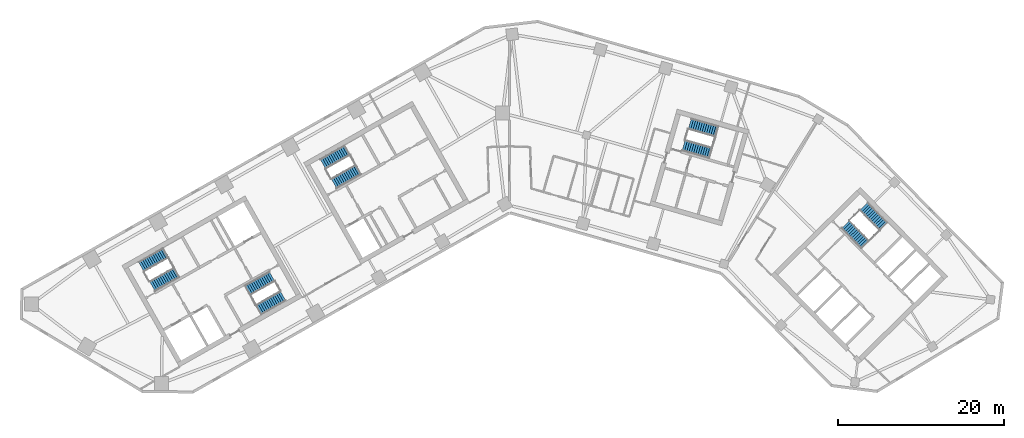
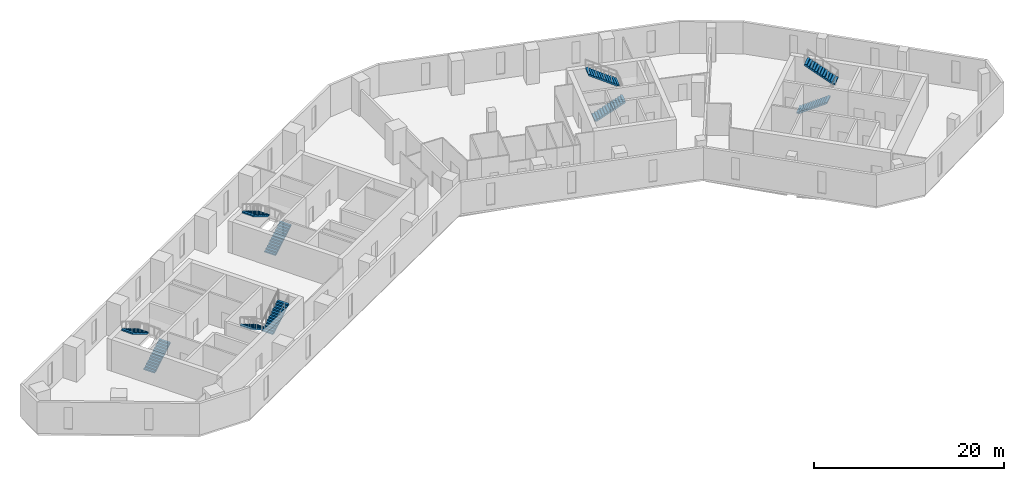
# One storey, part 8 of 10: 10 stair flights, 5 elements without a shape of their own.
"""IFC4 building model written with IfcOpenShell, lengths in metres."""

from ifc_helpers import new_model, si_unit, direction, frame, origin, place, context, subcontext, project, spatial, polyline, outline, extrude, material, type_object, element, aggregate, save


model = new_model("IFC4")

# Units and contexts
model_context = context("Model", 3, precision=1e-05, world=origin(), true_north=direction((0.0, 1.0)))
body_context = subcontext(model_context, "Body", "Model", "MODEL_VIEW")
ifc_project = project(units=[si_unit("LENGTHUNIT", "METRE"), si_unit("AREAUNIT", "SQUARE_METRE"), si_unit("VOLUMEUNIT", "CUBIC_METRE"), si_unit("PLANEANGLEUNIT", "RADIAN"), si_unit("MASSUNIT", "GRAM", prefix="KILO")], contexts=[model_context])

# Site, building, storey
site_placement = place(None, origin())
site = spatial("IfcSite", under=ifc_project, at=site_placement, CompositionType="ELEMENT")
building_placement = place(site_placement, origin())
building = spatial("IfcBuilding", under=site, at=building_placement, Name="Binnacle Exchange Tower", CompositionType="ELEMENT")
storey_placement = place(building_placement, frame((0.0, 0.0, 127.89990234375)))
storey = spatial("IfcBuildingStorey", under=building, at=storey_placement, Name="L26", CompositionType="ELEMENT", Elevation=127.89990234375)

# Stair, stair flights
ifc_material = material(Name="Concrete C35/45", Category="concrete")
stair_type = type_object("IfcStairType", Name="STAIR 26 RISERS 169", PredefinedType="HALF_TURN_STAIR", material=ifc_material)
stair_1_placement = place(storey_placement, origin())
stair_1 = element("IfcStair", 1, at=stair_1_placement, inside=storey, type_object=stair_type, Name="L26 Escape stair A1", PredefinedType="HALF_TURN_STAIR")
stair_flight_type = type_object("IfcStairFlightType", Name="STAIR FLIGHT 169X280", PredefinedType="STRAIGHT", material=ifc_material)
stair_flight_1_placement = place(storey_placement, frame((-42.9541015625, 39.17333984375, 0.0), z_axis=(0.0, 0.0, 1.0), x_axis=(0.870355584213, 0.492423757581, 0.0)))
stair_flight_1 = element("IfcStairFlight", 2, at=stair_flight_1_placement, type_object=stair_flight_type, Name="STA1 flight 1", NumberOfRisers=13, NumberOfTreads=12, PredefinedType="STRAIGHT", RiserHeight=0.169230769, TreadLength=0.28, context=body_context, shape_type="SweptSolid", body=[
    extrude(outline(polyline([(0.0, 0.0), (0.0, 0.169189453125), (0.280029296875, 0.169189453125), (0.280029296875, 0.33837890625), (0.56005859375, 0.33837890625), (0.56005859375, 0.5078125), (0.840087890625, 0.5078125), (0.840087890625, 0.677001953125), (1.1201171875, 0.677001953125), (1.1201171875, 0.84619140625), (1.39990234375, 0.84619140625), (1.39990234375, 1.015380859375), (1.679931640625, 1.015380859375), (1.679931640625, 1.1845703125), (1.9599609375, 1.1845703125), (1.9599609375, 1.353759765625), (2.239990234375, 1.353759765625), (2.239990234375, 1.523193359375), (2.52001953125, 1.523193359375), (2.52001953125, 1.6923828125), (2.800048828125, 1.6923828125), (2.800048828125, 1.861572265625), (3.080078125, 1.861572265625), (3.080078125, 2.03076171875), (3.360107421875, 2.03076171875), (3.360107421875, 2.199951171875), (3.360107421875, 1.855712890625), (0.289794921875, 0.0), (0.0, 0.0)])), frame((0.0, 0.675048828125, 0.0), z_axis=(0.0, -1.0, 0.0), x_axis=(1.0, 0.0, 0.0)), (0.0, 0.0, 1.0), 1.35009765625),
])
stair_flight_2_placement = place(storey_placement, frame((-41.359130859375, 43.177978515625, 2.2001953125), z_axis=(0.0, 0.0, 1.0), x_axis=(-0.870355584213, -0.492423757581, 0.0)))
stair_flight_2 = element("IfcStairFlight", 3, at=stair_flight_2_placement, type_object=stair_flight_type, Name="STA1 flight 2", NumberOfRisers=13, NumberOfTreads=12, PredefinedType="STRAIGHT", RiserHeight=0.169230769, TreadLength=0.28, context=body_context, shape_type="SweptSolid", body=[
    extrude(outline(polyline([(0.0, 0.0), (0.0, 0.169189453125), (0.280029296875, 0.169189453125), (0.280029296875, 0.33837890625), (0.56005859375, 0.33837890625), (0.56005859375, 0.5078125), (0.840087890625, 0.5078125), (0.840087890625, 0.677001953125), (1.1201171875, 0.677001953125), (1.1201171875, 0.84619140625), (1.39990234375, 0.84619140625), (1.39990234375, 1.015380859375), (1.679931640625, 1.015380859375), (1.679931640625, 1.1845703125), (1.9599609375, 1.1845703125), (1.9599609375, 1.353759765625), (2.239990234375, 1.353759765625), (2.239990234375, 1.523193359375), (2.52001953125, 1.523193359375), (2.52001953125, 1.6923828125), (2.800048828125, 1.6923828125), (2.800048828125, 1.861572265625), (3.080078125, 1.861572265625), (3.080078125, 2.03076171875), (3.360107421875, 2.03076171875), (3.360107421875, 2.199951171875), (3.360107421875, 1.855712890625), (0.289794921875, 0.0), (0.0, 0.0)])), frame((0.0, 0.675048828125, 0.0), z_axis=(0.0, -1.0, 0.0), x_axis=(1.0, 0.0, 0.0)), (0.0, 0.0, 1.0), 1.35009765625),
])
aggregate(stair_1, [stair_flight_1, stair_flight_2])

stair_2_placement = place(storey_placement, origin())
stair_2 = element("IfcStair", 4, at=stair_2_placement, inside=storey, type_object=stair_type, Name="L26 Escape stair A2", PredefinedType="HALF_TURN_STAIR")
stair_flight_3_placement = place(storey_placement, frame((-28.5732421875, 40.3583984375, 0.0), z_axis=(0.0, 0.0, 1.0), x_axis=(-0.870355584213, -0.492423757581, 0.0)))
stair_flight_3 = element("IfcStairFlight", 5, at=stair_flight_3_placement, type_object=stair_flight_type, Name="STA2 flight 1", NumberOfRisers=13, NumberOfTreads=12, PredefinedType="STRAIGHT", RiserHeight=0.169230769, TreadLength=0.28, context=body_context, shape_type="SweptSolid", body=[
    extrude(outline(polyline([(0.0, 0.0), (0.0, 0.169189453125), (0.280029296875, 0.169189453125), (0.280029296875, 0.33837890625), (0.56005859375, 0.33837890625), (0.56005859375, 0.5078125), (0.840087890625, 0.5078125), (0.840087890625, 0.677001953125), (1.1201171875, 0.677001953125), (1.1201171875, 0.84619140625), (1.39990234375, 0.84619140625), (1.39990234375, 1.015380859375), (1.679931640625, 1.015380859375), (1.679931640625, 1.1845703125), (1.9599609375, 1.1845703125), (1.9599609375, 1.353759765625), (2.239990234375, 1.353759765625), (2.239990234375, 1.523193359375), (2.52001953125, 1.523193359375), (2.52001953125, 1.6923828125), (2.800048828125, 1.6923828125), (2.800048828125, 1.861572265625), (3.080078125, 1.861572265625), (3.080078125, 2.03076171875), (3.360107421875, 2.03076171875), (3.360107421875, 2.199951171875), (3.360107421875, 1.855712890625), (0.289794921875, 0.0), (0.0, 0.0)])), frame((0.0, 0.675048828125, 0.0), z_axis=(0.0, -1.0, 0.0), x_axis=(1.0, 0.0, 0.0)), (0.0, 0.0, 1.0), 1.35009765625),
])
stair_flight_4_placement = place(storey_placement, frame((-30.16796875, 36.35400390625, 2.2001953125), z_axis=(0.0, 0.0, 1.0), x_axis=(0.870355584213, 0.492423757581, 0.0)))
stair_flight_4 = element("IfcStairFlight", 6, at=stair_flight_4_placement, type_object=stair_flight_type, Name="STA2 flight 2", NumberOfRisers=13, NumberOfTreads=12, PredefinedType="STRAIGHT", RiserHeight=0.169230769, TreadLength=0.28, context=body_context, shape_type="SweptSolid", body=[
    extrude(outline(polyline([(0.0, 0.0), (0.0, 0.169189453125), (0.280029296875, 0.169189453125), (0.280029296875, 0.33837890625), (0.56005859375, 0.33837890625), (0.56005859375, 0.5078125), (0.840087890625, 0.5078125), (0.840087890625, 0.677001953125), (1.1201171875, 0.677001953125), (1.1201171875, 0.84619140625), (1.39990234375, 0.84619140625), (1.39990234375, 1.015380859375), (1.679931640625, 1.015380859375), (1.679931640625, 1.1845703125), (1.9599609375, 1.1845703125), (1.9599609375, 1.353759765625), (2.239990234375, 1.353759765625), (2.239990234375, 1.523193359375), (2.52001953125, 1.523193359375), (2.52001953125, 1.6923828125), (2.800048828125, 1.6923828125), (2.800048828125, 1.861572265625), (3.080078125, 1.861572265625), (3.080078125, 2.03076171875), (3.360107421875, 2.03076171875), (3.360107421875, 2.199951171875), (3.360107421875, 1.855712890625), (0.289794921875, 0.0), (0.0, 0.0)])), frame((0.0, 0.675048828125, 0.0), z_axis=(0.0, -1.0, 0.0), x_axis=(1.0, 0.0, 0.0)), (0.0, 0.0, 1.0), 1.35009765625),
])
aggregate(stair_2, [stair_flight_3, stair_flight_4])

stair_3_placement = place(storey_placement, origin())
stair_3 = element("IfcStair", 7, at=stair_3_placement, inside=storey, type_object=stair_type, Name="L26 Escape stair B1", PredefinedType="HALF_TURN_STAIR")
stair_flight_5_placement = place(storey_placement, frame((40.376708984375, 46.608642578125, 0.0), z_axis=(0.0, 0.0, 1.0), x_axis=(0.70090935144, -0.713250363522, 0.0)))
stair_flight_5 = element("IfcStairFlight", 8, at=stair_flight_5_placement, type_object=stair_flight_type, Name="STB1 flight 1", NumberOfRisers=13, NumberOfTreads=12, PredefinedType="STRAIGHT", RiserHeight=0.169230769, TreadLength=0.28, context=body_context, shape_type="SweptSolid", body=[
    extrude(outline(polyline([(0.0, 0.0), (0.0, 0.169189453125), (0.280029296875, 0.169189453125), (0.280029296875, 0.33837890625), (0.56005859375, 0.33837890625), (0.56005859375, 0.5078125), (0.840087890625, 0.5078125), (0.840087890625, 0.677001953125), (1.1201171875, 0.677001953125), (1.1201171875, 0.84619140625), (1.39990234375, 0.84619140625), (1.39990234375, 1.015380859375), (1.679931640625, 1.015380859375), (1.679931640625, 1.1845703125), (1.9599609375, 1.1845703125), (1.9599609375, 1.353759765625), (2.239990234375, 1.353759765625), (2.239990234375, 1.523193359375), (2.52001953125, 1.523193359375), (2.52001953125, 1.6923828125), (2.800048828125, 1.6923828125), (2.800048828125, 1.861572265625), (3.080078125, 1.861572265625), (3.080078125, 2.03076171875), (3.360107421875, 2.03076171875), (3.360107421875, 2.199951171875), (3.360107421875, 1.855712890625), (0.289794921875, 0.0), (0.0, 0.0)])), frame((0.0, 0.675048828125, 0.0), z_axis=(0.0, -1.0, 0.0), x_axis=(1.0, 0.0, 0.0)), (0.0, 0.0, 1.0), 1.35009765625),
])
stair_flight_6_placement = place(storey_placement, frame((44.94287109375, 46.385009765625, 2.2001953125), z_axis=(0.0, 0.0, 1.0), x_axis=(-0.70090935144, 0.713250363522, 0.0)))
stair_flight_6 = element("IfcStairFlight", 9, at=stair_flight_6_placement, type_object=stair_flight_type, Name="STB1 flight 2", NumberOfRisers=13, NumberOfTreads=12, PredefinedType="STRAIGHT", RiserHeight=0.169230769, TreadLength=0.28, context=body_context, shape_type="SweptSolid", body=[
    extrude(outline(polyline([(0.0, 0.0), (0.0, 0.169189453125), (0.280029296875, 0.169189453125), (0.280029296875, 0.33837890625), (0.56005859375, 0.33837890625), (0.56005859375, 0.5078125), (0.840087890625, 0.5078125), (0.840087890625, 0.677001953125), (1.1201171875, 0.677001953125), (1.1201171875, 0.84619140625), (1.39990234375, 0.84619140625), (1.39990234375, 1.015380859375), (1.679931640625, 1.015380859375), (1.679931640625, 1.1845703125), (1.9599609375, 1.1845703125), (1.9599609375, 1.353759765625), (2.239990234375, 1.353759765625), (2.239990234375, 1.523193359375), (2.52001953125, 1.523193359375), (2.52001953125, 1.6923828125), (2.800048828125, 1.6923828125), (2.800048828125, 1.861572265625), (3.080078125, 1.861572265625), (3.080078125, 2.03076171875), (3.360107421875, 2.03076171875), (3.360107421875, 2.199951171875), (3.360107421875, 1.855712890625), (0.289794921875, 0.0), (0.0, 0.0)])), frame((0.0, 0.675048828125, 0.0), z_axis=(0.0, -1.0, 0.0), x_axis=(1.0, 0.0, 0.0)), (0.0, 0.0, 1.0), 1.35009765625),
])
aggregate(stair_3, [stair_flight_5, stair_flight_6])

stair_4_placement = place(storey_placement, origin())
stair_4 = element("IfcStair", 10, at=stair_4_placement, inside=storey, type_object=stair_type, Name="L26 Escape stair C1", PredefinedType="HALF_TURN_STAIR")
stair_flight_7_placement = place(storey_placement, frame((-21.115966796875, 51.528564453125, 0.0), z_axis=(0.0, 0.0, 1.0), x_axis=(0.870355584213, 0.492423757581, 0.0)))
stair_flight_7 = element("IfcStairFlight", 11, at=stair_flight_7_placement, type_object=stair_flight_type, Name="STC1 flight 1", NumberOfRisers=13, NumberOfTreads=12, PredefinedType="STRAIGHT", RiserHeight=0.169230769, TreadLength=0.28, context=body_context, shape_type="SweptSolid", body=[
    extrude(outline(polyline([(0.0, 0.0), (0.0, 0.169189453125), (0.280029296875, 0.169189453125), (0.280029296875, 0.33837890625), (0.56005859375, 0.33837890625), (0.56005859375, 0.5078125), (0.840087890625, 0.5078125), (0.840087890625, 0.677001953125), (1.1201171875, 0.677001953125), (1.1201171875, 0.84619140625), (1.39990234375, 0.84619140625), (1.39990234375, 1.015380859375), (1.679931640625, 1.015380859375), (1.679931640625, 1.1845703125), (1.9599609375, 1.1845703125), (1.9599609375, 1.353759765625), (2.239990234375, 1.353759765625), (2.239990234375, 1.523193359375), (2.52001953125, 1.523193359375), (2.52001953125, 1.6923828125), (2.800048828125, 1.6923828125), (2.800048828125, 1.861572265625), (3.080078125, 1.861572265625), (3.080078125, 2.03076171875), (3.360107421875, 2.03076171875), (3.360107421875, 2.199951171875), (3.360107421875, 1.855712890625), (0.289794921875, 0.0), (0.0, 0.0)])), frame((0.0, 0.675048828125, 0.0), z_axis=(0.0, -1.0, 0.0), x_axis=(1.0, 0.0, 0.0)), (0.0, 0.0, 1.0), 1.35009765625),
])
stair_flight_8_placement = place(storey_placement, frame((-19.521240234375, 55.533203125, 2.2001953125), z_axis=(0.0, 0.0, 1.0), x_axis=(-0.870355584213, -0.492423757581, 0.0)))
stair_flight_8 = element("IfcStairFlight", 12, at=stair_flight_8_placement, type_object=stair_flight_type, Name="STC1 flight 2", NumberOfRisers=13, NumberOfTreads=12, PredefinedType="STRAIGHT", RiserHeight=0.169230769, TreadLength=0.28, context=body_context, shape_type="SweptSolid", body=[
    extrude(outline(polyline([(0.0, 0.0), (0.0, 0.169189453125), (0.280029296875, 0.169189453125), (0.280029296875, 0.33837890625), (0.56005859375, 0.33837890625), (0.56005859375, 0.5078125), (0.840087890625, 0.5078125), (0.840087890625, 0.677001953125), (1.1201171875, 0.677001953125), (1.1201171875, 0.84619140625), (1.39990234375, 0.84619140625), (1.39990234375, 1.015380859375), (1.679931640625, 1.015380859375), (1.679931640625, 1.1845703125), (1.9599609375, 1.1845703125), (1.9599609375, 1.353759765625), (2.239990234375, 1.353759765625), (2.239990234375, 1.523193359375), (2.52001953125, 1.523193359375), (2.52001953125, 1.6923828125), (2.800048828125, 1.6923828125), (2.800048828125, 1.861572265625), (3.080078125, 1.861572265625), (3.080078125, 2.03076171875), (3.360107421875, 2.03076171875), (3.360107421875, 2.199951171875), (3.360107421875, 1.855712890625), (0.289794921875, 0.0), (0.0, 0.0)])), frame((0.0, 0.675048828125, 0.0), z_axis=(0.0, -1.0, 0.0), x_axis=(1.0, 0.0, 0.0)), (0.0, 0.0, 1.0), 1.35009765625),
])
aggregate(stair_4, [stair_flight_7, stair_flight_8])

stair_5_placement = place(storey_placement, origin())
stair_5 = element("IfcStair", 13, at=stair_5_placement, inside=storey, type_object=stair_type, Name="L26 Escape stair D1", PredefinedType="HALF_TURN_STAIR")
stair_flight_9_placement = place(storey_placement, frame((20.914306640625, 56.109619140625, 0.0), z_axis=(0.0, 0.0, 1.0), x_axis=(0.961261811397, -0.275636953165, 0.0)))
stair_flight_9 = element("IfcStairFlight", 14, at=stair_flight_9_placement, type_object=stair_flight_type, Name="STD1 flight 1", NumberOfRisers=13, NumberOfTreads=12, PredefinedType="STRAIGHT", RiserHeight=0.169230769, TreadLength=0.28, context=body_context, shape_type="SweptSolid", body=[
    extrude(outline(polyline([(0.0, 0.0), (0.0, 0.169189453125), (0.280029296875, 0.169189453125), (0.280029296875, 0.33837890625), (0.56005859375, 0.33837890625), (0.56005859375, 0.5078125), (0.840087890625, 0.5078125), (0.840087890625, 0.677001953125), (1.1201171875, 0.677001953125), (1.1201171875, 0.84619140625), (1.39990234375, 0.84619140625), (1.39990234375, 1.015380859375), (1.679931640625, 1.015380859375), (1.679931640625, 1.1845703125), (1.9599609375, 1.1845703125), (1.9599609375, 1.353759765625), (2.239990234375, 1.353759765625), (2.239990234375, 1.523193359375), (2.52001953125, 1.523193359375), (2.52001953125, 1.6923828125), (2.800048828125, 1.6923828125), (2.800048828125, 1.861572265625), (3.080078125, 1.861572265625), (3.080078125, 2.03076171875), (3.360107421875, 2.03076171875), (3.360107421875, 2.199951171875), (3.360107421875, 1.855712890625), (0.289794921875, 0.0), (0.0, 0.0)])), frame((0.0, 0.675048828125, 0.0), z_axis=(0.0, -1.0, 0.0), x_axis=(1.0, 0.0, 0.0)), (0.0, 0.0, 1.0), 1.35009765625),
])
stair_flight_10_placement = place(storey_placement, frame((24.888427734375, 57.77880859375, 2.2001953125), z_axis=(0.0, 0.0, 1.0), x_axis=(-0.961261811397, 0.275636953165, 0.0)))
stair_flight_10 = element("IfcStairFlight", 15, at=stair_flight_10_placement, type_object=stair_flight_type, Name="STD1 flight 2", NumberOfRisers=13, NumberOfTreads=12, PredefinedType="STRAIGHT", RiserHeight=0.169230769, TreadLength=0.28, context=body_context, shape_type="SweptSolid", body=[
    extrude(outline(polyline([(0.0, 0.0), (0.0, 0.169189453125), (0.280029296875, 0.169189453125), (0.280029296875, 0.33837890625), (0.56005859375, 0.33837890625), (0.56005859375, 0.5078125), (0.840087890625, 0.5078125), (0.840087890625, 0.677001953125), (1.1201171875, 0.677001953125), (1.1201171875, 0.84619140625), (1.39990234375, 0.84619140625), (1.39990234375, 1.015380859375), (1.679931640625, 1.015380859375), (1.679931640625, 1.1845703125), (1.9599609375, 1.1845703125), (1.9599609375, 1.353759765625), (2.239990234375, 1.353759765625), (2.239990234375, 1.523193359375), (2.52001953125, 1.523193359375), (2.52001953125, 1.6923828125), (2.800048828125, 1.6923828125), (2.800048828125, 1.861572265625), (3.080078125, 1.861572265625), (3.080078125, 2.03076171875), (3.360107421875, 2.03076171875), (3.360107421875, 2.199951171875), (3.360107421875, 1.855712890625), (0.289794921875, 0.0), (0.0, 0.0)])), frame((0.0, 0.675048828125, 0.0), z_axis=(0.0, -1.0, 0.0), x_axis=(1.0, 0.0, 0.0)), (0.0, 0.0, 1.0), 1.35009765625),
])
aggregate(stair_5, [stair_flight_9, stair_flight_10])

save(model, "model.ifc")
